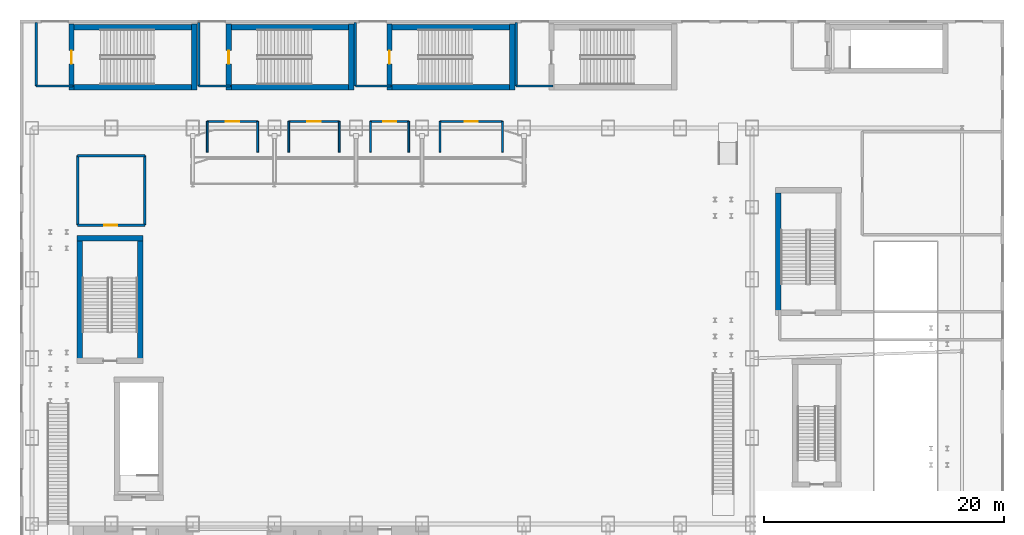
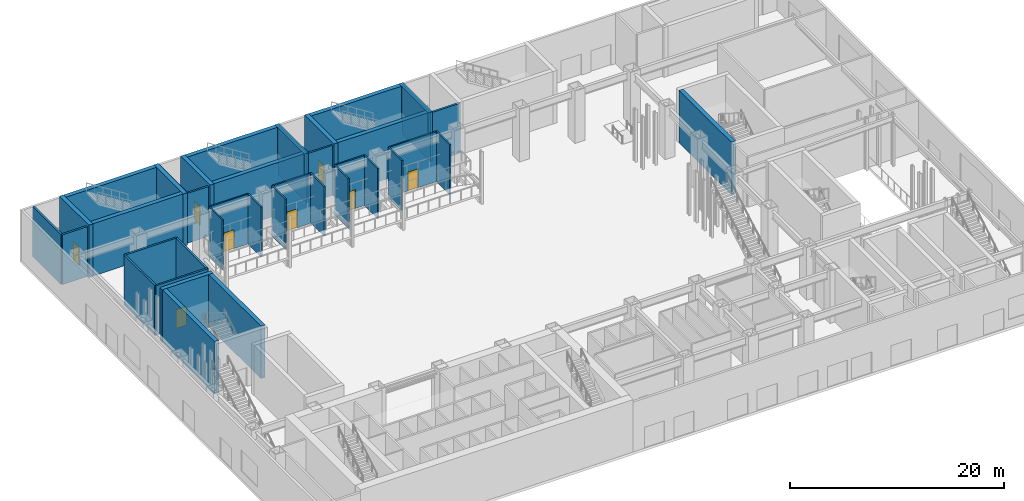
# One storey, part 13 of 25: 40 walls, 8 doors, 8 openings.
"""IFC4 building model written with IfcOpenShell, lengths in metres."""

from ifc_helpers import new_model, si_unit, derived_unit, direction, frame, frame_2d, origin, place, context, subcontext, project, spatial, rectangle, extrude, source, transform, mapped, material, layer, layer_set, type_object, element, fill, save


model = new_model("IFC4")

# Units and contexts
model_context = context("Model", 3, precision=1e-05, world=origin(), true_north=direction((0.0, 1.0)))
body_context = subcontext(model_context, "Body", "Model", "MODEL_VIEW")
ifc_project = project(units=[si_unit("LENGTHUNIT", "METRE"), si_unit("AREAUNIT", "SQUARE_METRE"), si_unit("VOLUMEUNIT", "CUBIC_METRE"), si_unit("PLANEANGLEUNIT", "RADIAN"), si_unit("MASSUNIT", "GRAM", prefix="KILO"), derived_unit("THERMALTRANSMITTANCEUNIT", [(si_unit("POWERUNIT", "WATT"), 1), (si_unit("LENGTHUNIT", "METRE"), -2), (si_unit("THERMODYNAMICTEMPERATUREUNIT", "KELVIN"), -1)])], contexts=[model_context])

# Site, building, storey
site_placement = place(None, origin())
site = spatial("IfcSite", under=ifc_project, at=site_placement, CompositionType="ELEMENT")
building_placement = place(site_placement, origin())
building = spatial("IfcBuilding", under=site, at=building_placement, Name="Skarnbrae Concourse Arena and Tower", CompositionType="ELEMENT")
storey_placement = place(building_placement, origin())
storey = spatial("IfcBuildingStorey", under=building, at=storey_placement, Name="L00", CompositionType="ELEMENT", Elevation=0.0)

# Walls
ifc_material_1 = material(Name="Concrete 50 MPa (C50/60)", Category="concrete")
ifc_layer_1 = layer(ifc_material_1, 0.449951171875)
ifc_layer_set_1 = layer_set([ifc_layer_1], Name="Concrete 50 MPa (C50/60)")
wall_type_1 = type_object("IfcWallType", Name="WALL-CORE-450-C50", PredefinedType="SHEAR", material=ifc_layer_set_1)
shared_shape_1 = source(origin(), body_context, "Body", "SweptSolid", [
    extrude(rectangle(XDim=9.800048828125, YDim=0.449951171875, at=frame_2d((4.89990234375, 0.0))), origin(), (0.0, 0.0, 1.0), 6.0),
])
for number, where, z_axis, x_axis, name in (
    (1, (4.9951171875, 27.800048828125, 0.0), (0.0, 0.0, 1.0), (0.0, 1.0, 0.0), "L00 Protected stair shaft wall ST-A3-W"),
    (2, (10.0048828125, 27.800048828125, 0.0), (0.0, 0.0, 1.0), (0.0, 1.0, 0.0), "L00 Protected stair shaft wall ST-A3-E"),
    (3, (63.195068359375, 31.800048828125, 0.0), (0.0, 0.0, 1.0), (0.0, 1.0, 0.0), "L00 Protected stair shaft wall ST-A4-W"),
    (4, (4.5, 50.39501953125, 0.0), (0.0, 0.0, 1.0), (1.0, 0.0, 0.0), "L00 Protected stair shaft wall ST-A5-S"),
    (5, (4.5, 55.405029296875, 0.0), (0.0, 0.0, 1.0), (1.0, 0.0, 0.0), "L00 Protected stair shaft wall ST-A5-N"),
    (6, (31.0, 50.39501953125, 0.0), (0.0, 0.0, 1.0), (1.0, 0.0, 0.0), "L00 Protected stair shaft wall ST-A7-S"),
    (7, (31.0, 55.405029296875, 0.0), (0.0, 0.0, 1.0), (1.0, 0.0, 0.0), "L00 Protected stair shaft wall ST-A7-N"),
):
    element("IfcWall", number, at=place(storey_placement, frame(where, z_axis=z_axis, x_axis=x_axis)), inside=storey, type_object=wall_type_1, Name=name, PredefinedType="SHEAR", context=body_context, shape_type="MappedRepresentation", body=[
        mapped(shared_shape_1, transform((0.0, 0.0, 0.0))),
    ])
shared_shape_2 = source(origin(), body_context, "Body", "SweptSolid", [
    extrude(rectangle(XDim=5.5, YDim=0.449951171875, at=frame_2d((2.75, 0.0))), origin(), (0.0, 0.0, 1.0), 6.0),
])
wall_1_placement = place(storey_placement, frame((4.75, 37.804931640625, 0.0), z_axis=(0.0, 0.0, 1.0), x_axis=(1.0, 0.0, 0.0)))
element("IfcWall", 8, at=wall_1_placement, inside=storey, type_object=wall_type_1, Name="L00 Protected stair shaft wall ST-A3-N", PredefinedType="SHEAR", context=body_context, shape_type="MappedRepresentation", body=[
    mapped(shared_shape_2, transform((0.0, 0.0, 0.0))),
])

# Wall, opening, door
wall_2_placement = place(storey_placement, frame((4.294921875, 50.14990234375, 0.0), z_axis=(0.0, 0.0, 1.0), x_axis=(0.0, 1.0, 0.0)))
wall_2 = element("IfcWall", 9, at=wall_2_placement, inside=storey, type_object=wall_type_1, Name="L00 Protected stair shaft wall ST-A5-W", PredefinedType="SHEAR", context=body_context, shape_type="MappedRepresentation", body=[
    mapped(shared_shape_2, transform((0.0, 0.0, 0.0))),
])
opening_1_placement = place(wall_2_placement, frame((2.199951171875, 0.0, 0.0)))
opening_1 = element("IfcOpeningElement", 10, at=opening_1_placement, cuts=wall_2, Name="Opening DT-03", PredefinedType="OPENING", context=body_context, shape_type="SweptSolid", body=[
    extrude(rectangle(XDim=1.10009765625, YDim=2.14990234375, at=frame_2d((0.550048828125, 1.074951171875))), frame((0.0, 0.23486328125, 0.0), z_axis=(0.0, -1.0, 0.0), x_axis=(1.0, 0.0, 0.0)), (0.0, 0.0, 1.0), 0.469970703125),
])
ifc_material_2 = material(Name="Steel CSA G40.21 350W", Category="steel")
door_type = type_object("IfcDoorType", Name="DOOR-FIRE-1100-90M", OperationType="NOTDEFINED", PredefinedType="DOOR", material=ifc_material_2)
shared_shape_3 = source(origin(), body_context, "Body", "SweptSolid", [
    extrude(rectangle(XDim=1.10009765625, YDim=2.14990234375, at=frame_2d((0.550048828125, 1.074951171875))), frame((0.0, 0.02490234375, 0.0), z_axis=(0.0, -1.0, 0.0), x_axis=(1.0, 0.0, 0.0)), (0.0, 0.0, 1.0), 0.050048828125),
])
door_1_placement = place(opening_1_placement, origin())
door_1 = element("IfcDoor", 11, at=door_1_placement, inside=storey, type_object=door_type, Name="D-0191 Exit Stair ST-A5 Door", OperationType="SINGLE_SWING_LEFT", OverallHeight=2.14990234375, OverallWidth=1.10009765625, PredefinedType="DOOR", context=body_context, shape_type="MappedRepresentation", body=[
    mapped(shared_shape_3, transform((0.0, 0.0, 0.0))),
])
fill(opening_1, door_1)

# Wall
wall_3_placement = place(storey_placement, frame((14.5048828125, 50.14990234375, 0.0), z_axis=(0.0, 0.0, 1.0), x_axis=(0.0, 1.0, 0.0)))
element("IfcWall", 12, at=wall_3_placement, inside=storey, type_object=wall_type_1, Name="L00 Protected stair shaft wall ST-A5-E", PredefinedType="SHEAR", context=body_context, shape_type="MappedRepresentation", body=[
    mapped(shared_shape_2, transform((0.0, 0.0, 0.0))),
])

# Wall, opening, door
wall_4_placement = place(storey_placement, frame((17.39501953125, 50.14990234375, 0.0), z_axis=(0.0, 0.0, 1.0), x_axis=(0.0, 1.0, 0.0)))
wall_4 = element("IfcWall", 13, at=wall_4_placement, inside=storey, type_object=wall_type_1, Name="L00 Protected stair shaft wall ST-A6-W", PredefinedType="SHEAR", context=body_context, shape_type="MappedRepresentation", body=[
    mapped(shared_shape_2, transform((0.0, 0.0, 0.0))),
])
opening_2_placement = place(wall_4_placement, frame((2.199951171875, 0.0, 0.0)))
opening_2 = element("IfcOpeningElement", 14, at=opening_2_placement, cuts=wall_4, Name="Opening DT-03", PredefinedType="OPENING", context=body_context, shape_type="SweptSolid", body=[
    extrude(rectangle(XDim=1.10009765625, YDim=2.14990234375, at=frame_2d((0.550048828125, 1.074951171875))), frame((0.0, 0.23486328125, 0.0), z_axis=(0.0, -1.0, 0.0), x_axis=(1.0, 0.0, 0.0)), (0.0, 0.0, 1.0), 0.469970703125),
])
door_2_placement = place(opening_2_placement, origin())
door_2 = element("IfcDoor", 15, at=door_2_placement, inside=storey, type_object=door_type, Name="D-0192 Exit Stair ST-A6 Door", OperationType="SINGLE_SWING_LEFT", OverallHeight=2.14990234375, OverallWidth=1.10009765625, PredefinedType="DOOR", context=body_context, shape_type="MappedRepresentation", body=[
    mapped(shared_shape_3, transform((0.0, 0.0, 0.0))),
])
fill(opening_2, door_2)

# Wall
wall_5_placement = place(storey_placement, frame((27.60498046875, 50.14990234375, 0.0), z_axis=(0.0, 0.0, 1.0), x_axis=(0.0, 1.0, 0.0)))
element("IfcWall", 16, at=wall_5_placement, inside=storey, type_object=wall_type_1, Name="L00 Protected stair shaft wall ST-A6-E", PredefinedType="SHEAR", context=body_context, shape_type="MappedRepresentation", body=[
    mapped(shared_shape_2, transform((0.0, 0.0, 0.0))),
])

# Wall, opening, door
wall_6_placement = place(storey_placement, frame((30.794921875, 50.14990234375, 0.0), z_axis=(0.0, 0.0, 1.0), x_axis=(0.0, 1.0, 0.0)))
wall_6 = element("IfcWall", 17, at=wall_6_placement, inside=storey, type_object=wall_type_1, Name="L00 Protected stair shaft wall ST-A7-W", PredefinedType="SHEAR", context=body_context, shape_type="MappedRepresentation", body=[
    mapped(shared_shape_2, transform((0.0, 0.0, 0.0))),
])
opening_3_placement = place(wall_6_placement, frame((2.199951171875, 0.0, 0.0)))
opening_3 = element("IfcOpeningElement", 18, at=opening_3_placement, cuts=wall_6, Name="Opening DT-03", PredefinedType="OPENING", context=body_context, shape_type="SweptSolid", body=[
    extrude(rectangle(XDim=1.10009765625, YDim=2.14990234375, at=frame_2d((0.550048828125, 1.074951171875))), frame((0.0, 0.23486328125, 0.0), z_axis=(0.0, -1.0, 0.0), x_axis=(1.0, 0.0, 0.0)), (0.0, 0.0, 1.0), 0.469970703125),
])
door_3_placement = place(opening_3_placement, origin())
door_3 = element("IfcDoor", 19, at=door_3_placement, inside=storey, type_object=door_type, Name="D-0193 Exit Stair ST-A7 Door", OperationType="SINGLE_SWING_LEFT", OverallHeight=2.14990234375, OverallWidth=1.10009765625, PredefinedType="DOOR", context=body_context, shape_type="MappedRepresentation", body=[
    mapped(shared_shape_3, transform((0.0, 0.0, 0.0))),
])
fill(opening_3, door_3)

# Walls
wall_7_placement = place(storey_placement, frame((41.0048828125, 50.14990234375, 0.0), z_axis=(0.0, 0.0, 1.0), x_axis=(0.0, 1.0, 0.0)))
element("IfcWall", 20, at=wall_7_placement, inside=storey, type_object=wall_type_1, Name="L00 Protected stair shaft wall ST-A7-E", PredefinedType="SHEAR", context=body_context, shape_type="MappedRepresentation", body=[
    mapped(shared_shape_2, transform((0.0, 0.0, 0.0))),
])
shared_shape_4 = source(origin(), body_context, "Body", "SweptSolid", [
    extrude(rectangle(XDim=9.7998046875, YDim=0.449951171875, at=frame_2d((4.89990234375, 0.0))), origin(), (0.0, 0.0, 1.0), 6.0),
])
for number, where, z_axis, x_axis, name in (
    (21, (17.60009765625, 50.39501953125, 0.0), (0.0, 0.0, 1.0), (1.0, 0.0, 0.0), "L00 Protected stair shaft wall ST-A6-S"),
    (22, (17.60009765625, 55.405029296875, 0.0), (0.0, 0.0, 1.0), (1.0, 0.0, 0.0), "L00 Protected stair shaft wall ST-A6-N"),
):
    element("IfcWall", number, at=place(storey_placement, frame(where, z_axis=z_axis, x_axis=x_axis)), inside=storey, type_object=wall_type_1, Name=name, PredefinedType="SHEAR", context=body_context, shape_type="MappedRepresentation", body=[
        mapped(shared_shape_4, transform((0.0, 0.0, 0.0))),
    ])

# Wall, opening, door
ifc_material_3 = material(Name="Gypsum board on cold-formed steel studs", Category="steel")
ifc_layer_2 = layer(ifc_material_3, 0.14990234375)
ifc_layer_set_2 = layer_set([ifc_layer_2], Name="Gypsum board on cold-formed steel studs")
wall_type_2 = type_object("IfcWallType", Name="WALL-PART-150-1HR", PredefinedType="PARTITIONING", material=ifc_layer_set_2)
shared_shape_5 = source(origin(), body_context, "Body", "SweptSolid", [
    extrude(rectangle(XDim=4.199951171875, YDim=0.14990234375, at=frame_2d((2.10009765625, 0.0))), origin(), (0.0, 0.0, 1.0), 5.699951171875),
])
wall_8_placement = place(storey_placement, frame((15.60009765625, 47.550048828125, 0.0), z_axis=(0.0, 0.0, 1.0), x_axis=(1.0, 0.0, 0.0)))
wall_8 = element("IfcWall", 23, at=wall_8_placement, inside=storey, type_object=wall_type_2, Name="L00 Interior partition wall W-L00-VM1-N", PredefinedType="PARTITIONING", context=body_context, shape_type="MappedRepresentation", body=[
    mapped(shared_shape_5, transform((0.0, 0.0, 0.0))),
])
opening_4_placement = place(wall_8_placement, frame((1.550048828125, 0.0, 0.0)))
opening_4 = element("IfcOpeningElement", 24, at=opening_4_placement, cuts=wall_8, Name="Opening DT-03", PredefinedType="OPENING", context=body_context, shape_type="SweptSolid", body=[
    extrude(rectangle(XDim=1.10009765625, YDim=2.14990234375, at=frame_2d((0.550048828125, 1.074951171875))), frame((0.0, 0.0849609375, 0.0), z_axis=(0.0, -1.0, 0.0), x_axis=(1.0, 0.0, 0.0)), (0.0, 0.0, 1.0), 0.169921875),
])
door_4_placement = place(opening_4_placement, frame((1.10009765625, 0.0, 0.0), z_axis=(0.0, 0.0, 1.0), x_axis=(-1.0, 0.0, 0.0)))
door_4 = element("IfcDoor", 25, at=door_4_placement, inside=storey, type_object=door_type, Name="D-0183 Arena Vomitory V-01 Concourse Door", OperationType="SINGLE_SWING_LEFT", OverallHeight=2.14990234375, OverallWidth=1.10009765625, PredefinedType="DOOR", context=body_context, shape_type="MappedRepresentation", body=[
    mapped(shared_shape_3, transform((0.0, 0.0, 0.0))),
])
fill(opening_4, door_4)

# Walls
ifc_layer_3 = layer(ifc_material_3, 0.199951171875)
ifc_layer_set_3 = layer_set([ifc_layer_3], Name="Gypsum board on cold-formed steel studs")
wall_type_3 = type_object("IfcWallType", Name="WALL-PART-200-2HR", PredefinedType="PARTITIONING", material=ifc_layer_set_3)
shared_shape_6 = source(origin(), body_context, "Body", "SweptSolid", [
    extrude(rectangle(XDim=5.300048828125, YDim=0.199951171875, at=frame_2d((2.64990234375, 0.0))), origin(), (0.0, 0.0, 1.0), 5.699951171875),
])
for number, where, z_axis, x_axis, name in (
    (26, (1.35009765625, 50.5, 0.0), (0.0, 0.0, 1.0), (0.0, 1.0, 0.0), "L00 Interior partition wall W-L00-PEX-ST-A5-W"),
    (27, (14.8798828125, 50.5, 0.0), (0.0, 0.0, 1.0), (0.0, 1.0, 0.0), "L00 Interior partition wall W-L00-PEX-ST-A6-W"),
    (28, (27.949951171875, 50.5, 0.0), (0.0, 0.0, 1.0), (0.0, 1.0, 0.0), "L00 Interior partition wall W-L00-PEX-ST-A7-W"),
    (29, (41.35009765625, 50.5, 0.0), (0.0, 0.0, 1.0), (0.0, 1.0, 0.0), "L00 Interior partition wall W-L00-PEX-ST-A8-W"),
):
    element("IfcWall", number, at=place(storey_placement, frame(where, z_axis=z_axis, x_axis=x_axis)), inside=storey, type_object=wall_type_3, Name=name, PredefinedType="PARTITIONING", context=body_context, shape_type="MappedRepresentation", body=[
        mapped(shared_shape_6, transform((0.0, 0.0, 0.0))),
    ])
shared_shape_7 = source(origin(), body_context, "Body", "SweptSolid", [
    extrude(rectangle(XDim=3.079833984375, YDim=0.199951171875, at=frame_2d((1.5400390625, 0.0))), origin(), (0.0, 0.0, 1.0), 5.699951171875),
])
for number, where, z_axis, x_axis, name in (
    (30, (1.35009765625, 50.5, 0.0), (0.0, 0.0, 1.0), (1.0, 0.0, 0.0), "L00 Interior partition wall W-L00-PEX-ST-A5-S"),
    (31, (41.35009765625, 50.5, 0.0), (0.0, 0.0, 1.0), (1.0, 0.0, 0.0), "L00 Interior partition wall W-L00-PEX-ST-A8-S"),
):
    element("IfcWall", number, at=place(storey_placement, frame(where, z_axis=z_axis, x_axis=x_axis)), inside=storey, type_object=wall_type_3, Name=name, PredefinedType="PARTITIONING", context=body_context, shape_type="MappedRepresentation", body=[
        mapped(shared_shape_7, transform((0.0, 0.0, 0.0))),
    ])
shared_shape_8 = source(origin(), body_context, "Body", "SweptSolid", [
    extrude(rectangle(XDim=2.650146484375, YDim=0.199951171875, at=frame_2d((1.3251953125, 0.0))), origin(), (0.0, 0.0, 1.0), 5.699951171875),
])
wall_9_placement = place(storey_placement, frame((14.8798828125, 50.5, 0.0), z_axis=(0.0, 0.0, 1.0), x_axis=(1.0, 0.0, 0.0)))
element("IfcWall", 32, at=wall_9_placement, inside=storey, type_object=wall_type_3, Name="L00 Interior partition wall W-L00-PEX-ST-A6-S", PredefinedType="PARTITIONING", context=body_context, shape_type="MappedRepresentation", body=[
    mapped(shared_shape_8, transform((0.0, 0.0, 0.0))),
])
shared_shape_9 = source(origin(), body_context, "Body", "SweptSolid", [
    extrude(rectangle(XDim=2.97998046875, YDim=0.199951171875, at=frame_2d((1.489990234375, 0.0))), origin(), (0.0, 0.0, 1.0), 5.699951171875),
])
wall_10_placement = place(storey_placement, frame((27.949951171875, 50.5, 0.0), z_axis=(0.0, 0.0, 1.0), x_axis=(1.0, 0.0, 0.0)))
element("IfcWall", 33, at=wall_10_placement, inside=storey, type_object=wall_type_3, Name="L00 Interior partition wall W-L00-PEX-ST-A7-S", PredefinedType="PARTITIONING", context=body_context, shape_type="MappedRepresentation", body=[
    mapped(shared_shape_9, transform((0.0, 0.0, 0.0))),
])

# Wall, opening, door
shared_shape_10 = source(origin(), body_context, "Body", "SweptSolid", [
    extrude(rectangle(XDim=5.599853515625, YDim=0.199951171875, at=frame_2d((2.7998046875, 0.0))), origin(), (0.0, 0.0, 1.0), 5.699951171875),
])
wall_11_placement = place(storey_placement, frame((4.800048828125, 38.89990234375, 0.0), z_axis=(0.0, 0.0, 1.0), x_axis=(1.0, 0.0, 0.0)))
wall_11 = element("IfcWall", 34, at=wall_11_placement, inside=storey, type_object=wall_type_3, Name="L00 Interior partition wall W-L00-FCR-S", PredefinedType="PARTITIONING", context=body_context, shape_type="MappedRepresentation", body=[
    mapped(shared_shape_10, transform((0.0, 0.0, 0.0))),
])
opening_5_placement = place(wall_11_placement, frame((2.199951171875, 0.0, 0.0)))
opening_5 = element("IfcOpeningElement", 35, at=opening_5_placement, cuts=wall_11, Name="Opening DT-03", PredefinedType="OPENING", context=body_context, shape_type="SweptSolid", body=[
    extrude(rectangle(XDim=1.10009765625, YDim=2.14990234375, at=frame_2d((0.550048828125, 1.074951171875))), frame((0.0, 0.10986328125, 0.0), z_axis=(0.0, -1.0, 0.0), x_axis=(1.0, 0.0, 0.0)), (0.0, 0.0, 1.0), 0.219970703125),
])
door_5_placement = place(opening_5_placement, origin())
door_5 = element("IfcDoor", 36, at=door_5_placement, inside=storey, type_object=door_type, Name="D-0179 Fire Command Room Door", OperationType="SINGLE_SWING_LEFT", OverallHeight=2.14990234375, OverallWidth=1.10009765625, PredefinedType="DOOR", context=body_context, shape_type="MappedRepresentation", body=[
    mapped(shared_shape_3, transform((0.0, 0.0, 0.0))),
])
fill(opening_5, door_5)

# Walls
wall_12_placement = place(storey_placement, frame((4.800048828125, 44.699951171875, 0.0), z_axis=(0.0, 0.0, 1.0), x_axis=(1.0, 0.0, 0.0)))
element("IfcWall", 37, at=wall_12_placement, inside=storey, type_object=wall_type_3, Name="L00 Interior partition wall W-L00-FCR-N", PredefinedType="PARTITIONING", context=body_context, shape_type="MappedRepresentation", body=[
    mapped(shared_shape_10, transform((0.0, 0.0, 0.0))),
])
shared_shape_11 = source(origin(), body_context, "Body", "SweptSolid", [
    extrude(rectangle(XDim=5.800048828125, YDim=0.199951171875, at=frame_2d((2.89990234375, 0.0))), origin(), (0.0, 0.0, 1.0), 5.699951171875),
])
for number, where, z_axis, x_axis, name in (
    (38, (10.39990234375, 38.89990234375, 0.0), (0.0, 0.0, 1.0), (0.0, 1.0, 0.0), "L00 Interior partition wall W-L00-FCR-E"),
    (39, (4.800048828125, 38.89990234375, 0.0), (0.0, 0.0, 1.0), (0.0, 1.0, 0.0), "L00 Interior partition wall W-L00-FCR-W"),
):
    element("IfcWall", number, at=place(storey_placement, frame(where, z_axis=z_axis, x_axis=x_axis)), inside=storey, type_object=wall_type_3, Name=name, PredefinedType="PARTITIONING", context=body_context, shape_type="MappedRepresentation", body=[
        mapped(shared_shape_11, transform((0.0, 0.0, 0.0))),
    ])
shared_shape_12 = source(origin(), body_context, "Body", "SweptSolid", [
    extrude(rectangle(XDim=2.550048828125, YDim=0.14990234375, at=frame_2d((1.27490234375, 0.0))), origin(), (0.0, 0.0, 1.0), 5.699951171875),
])
for number, where, z_axis, x_axis, name in (
    (40, (15.60009765625, 45.0, 0.0), (0.0, 0.0, 1.0), (0.0, 1.0, 0.0), "L00 Interior partition wall W-L00-VM1-W"),
    (41, (19.800048828125, 45.0, 0.0), (0.0, 0.0, 1.0), (0.0, 1.0, 0.0), "L00 Interior partition wall W-L00-VM1-E"),
    (42, (22.39990234375, 45.0, 0.0), (0.0, 0.0, 1.0), (0.0, 1.0, 0.0), "L00 Interior partition wall W-L00-VM2-W"),
    (43, (26.60009765625, 45.0, 0.0), (0.0, 0.0, 1.0), (0.0, 1.0, 0.0), "L00 Interior partition wall W-L00-VM2-E"),
    (44, (29.199951171875, 45.0, 0.0), (0.0, 0.0, 1.0), (0.0, 1.0, 0.0), "L00 Interior partition wall W-L00-VM3-W"),
    (45, (32.39990234375, 45.0, 0.0), (0.0, 0.0, 1.0), (0.0, 1.0, 0.0), "L00 Interior partition wall W-L00-VM3-E"),
    (46, (35.0, 45.0, 0.0), (0.0, 0.0, 1.0), (0.0, 1.0, 0.0), "L00 Interior partition wall W-L00-VM4-W"),
    (47, (40.199951171875, 45.0, 0.0), (0.0, 0.0, 1.0), (0.0, 1.0, 0.0), "L00 Interior partition wall W-L00-VM4-E"),
):
    element("IfcWall", number, at=place(storey_placement, frame(where, z_axis=z_axis, x_axis=x_axis)), inside=storey, type_object=wall_type_2, Name=name, PredefinedType="PARTITIONING", context=body_context, shape_type="MappedRepresentation", body=[
        mapped(shared_shape_12, transform((0.0, 0.0, 0.0))),
    ])

# Wall, opening, door
shared_shape_13 = source(origin(), body_context, "Body", "SweptSolid", [
    extrude(rectangle(XDim=4.2001953125, YDim=0.14990234375, at=frame_2d((2.10009765625, 0.0))), origin(), (0.0, 0.0, 1.0), 5.699951171875),
])
wall_13_placement = place(storey_placement, frame((22.39990234375, 47.550048828125, 0.0), z_axis=(0.0, 0.0, 1.0), x_axis=(1.0, 0.0, 0.0)))
wall_13 = element("IfcWall", 48, at=wall_13_placement, inside=storey, type_object=wall_type_2, Name="L00 Interior partition wall W-L00-VM2-N", PredefinedType="PARTITIONING", context=body_context, shape_type="MappedRepresentation", body=[
    mapped(shared_shape_13, transform((0.0, 0.0, 0.0))),
])
opening_6_placement = place(wall_13_placement, frame((1.550048828125, 0.0, 0.0)))
opening_6 = element("IfcOpeningElement", 49, at=opening_6_placement, cuts=wall_13, Name="Opening DT-03", PredefinedType="OPENING", context=body_context, shape_type="SweptSolid", body=[
    extrude(rectangle(XDim=1.10009765625, YDim=2.14990234375, at=frame_2d((0.550048828125, 1.074951171875))), frame((0.0, 0.0849609375, 0.0), z_axis=(0.0, -1.0, 0.0), x_axis=(1.0, 0.0, 0.0)), (0.0, 0.0, 1.0), 0.169921875),
])
door_6_placement = place(opening_6_placement, frame((1.10009765625, 0.0, 0.0), z_axis=(0.0, 0.0, 1.0), x_axis=(-1.0, 0.0, 0.0)))
door_6 = element("IfcDoor", 50, at=door_6_placement, inside=storey, type_object=door_type, Name="D-0184 Arena Vomitory V-02 Concourse Door", OperationType="SINGLE_SWING_LEFT", OverallHeight=2.14990234375, OverallWidth=1.10009765625, PredefinedType="DOOR", context=body_context, shape_type="MappedRepresentation", body=[
    mapped(shared_shape_3, transform((0.0, 0.0, 0.0))),
])
fill(opening_6, door_6)

shared_shape_14 = source(origin(), body_context, "Body", "SweptSolid", [
    extrude(rectangle(XDim=3.199951171875, YDim=0.14990234375, at=frame_2d((1.60009765625, 0.0))), origin(), (0.0, 0.0, 1.0), 5.699951171875),
])
wall_14_placement = place(storey_placement, frame((29.199951171875, 47.550048828125, 0.0), z_axis=(0.0, 0.0, 1.0), x_axis=(1.0, 0.0, 0.0)))
wall_14 = element("IfcWall", 51, at=wall_14_placement, inside=storey, type_object=wall_type_2, Name="L00 Interior partition wall W-L00-VM3-N", PredefinedType="PARTITIONING", context=body_context, shape_type="MappedRepresentation", body=[
    mapped(shared_shape_14, transform((0.0, 0.0, 0.0))),
])
opening_7_placement = place(wall_14_placement, frame((1.050048828125, 0.0, 0.0)))
opening_7 = element("IfcOpeningElement", 52, at=opening_7_placement, cuts=wall_14, Name="Opening DT-03", PredefinedType="OPENING", context=body_context, shape_type="SweptSolid", body=[
    extrude(rectangle(XDim=1.10009765625, YDim=2.14990234375, at=frame_2d((0.550048828125, 1.074951171875))), frame((0.0, 0.0849609375, 0.0), z_axis=(0.0, -1.0, 0.0), x_axis=(1.0, 0.0, 0.0)), (0.0, 0.0, 1.0), 0.169921875),
])
door_7_placement = place(opening_7_placement, frame((1.10009765625, 0.0, 0.0), z_axis=(0.0, 0.0, 1.0), x_axis=(-1.0, 0.0, 0.0)))
door_7 = element("IfcDoor", 53, at=door_7_placement, inside=storey, type_object=door_type, Name="D-0185 Arena Vomitory V-03 Concourse Door", OperationType="SINGLE_SWING_LEFT", OverallHeight=2.14990234375, OverallWidth=1.10009765625, PredefinedType="DOOR", context=body_context, shape_type="MappedRepresentation", body=[
    mapped(shared_shape_3, transform((0.0, 0.0, 0.0))),
])
fill(opening_7, door_7)

shared_shape_15 = source(origin(), body_context, "Body", "SweptSolid", [
    extrude(rectangle(XDim=5.199951171875, YDim=0.14990234375, at=frame_2d((2.60009765625, 0.0))), origin(), (0.0, 0.0, 1.0), 5.699951171875),
])
wall_15_placement = place(storey_placement, frame((35.0, 47.550048828125, 0.0), z_axis=(0.0, 0.0, 1.0), x_axis=(1.0, 0.0, 0.0)))
wall_15 = element("IfcWall", 54, at=wall_15_placement, inside=storey, type_object=wall_type_2, Name="L00 Interior partition wall W-L00-VM4-N", PredefinedType="PARTITIONING", context=body_context, shape_type="MappedRepresentation", body=[
    mapped(shared_shape_15, transform((0.0, 0.0, 0.0))),
])
opening_8_placement = place(wall_15_placement, frame((2.050048828125, 0.0, 0.0)))
opening_8 = element("IfcOpeningElement", 55, at=opening_8_placement, cuts=wall_15, Name="Opening DT-03", PredefinedType="OPENING", context=body_context, shape_type="SweptSolid", body=[
    extrude(rectangle(XDim=1.10009765625, YDim=2.14990234375, at=frame_2d((0.550048828125, 1.074951171875))), frame((0.0, 0.0849609375, 0.0), z_axis=(0.0, -1.0, 0.0), x_axis=(1.0, 0.0, 0.0)), (0.0, 0.0, 1.0), 0.169921875),
])
door_8_placement = place(opening_8_placement, frame((1.10009765625, 0.0, 0.0), z_axis=(0.0, 0.0, 1.0), x_axis=(-1.0, 0.0, 0.0)))
door_8 = element("IfcDoor", 56, at=door_8_placement, inside=storey, type_object=door_type, Name="D-0186 Arena Vomitory V-04 Concourse Door", OperationType="SINGLE_SWING_LEFT", OverallHeight=2.14990234375, OverallWidth=1.10009765625, PredefinedType="DOOR", context=body_context, shape_type="MappedRepresentation", body=[
    mapped(shared_shape_3, transform((0.0, 0.0, 0.0))),
])
fill(opening_8, door_8)

save(model, "model.ifc")
